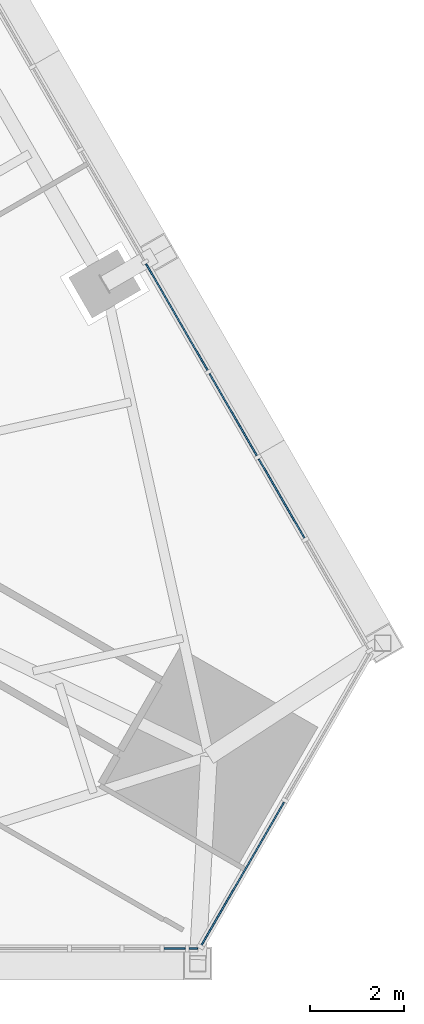
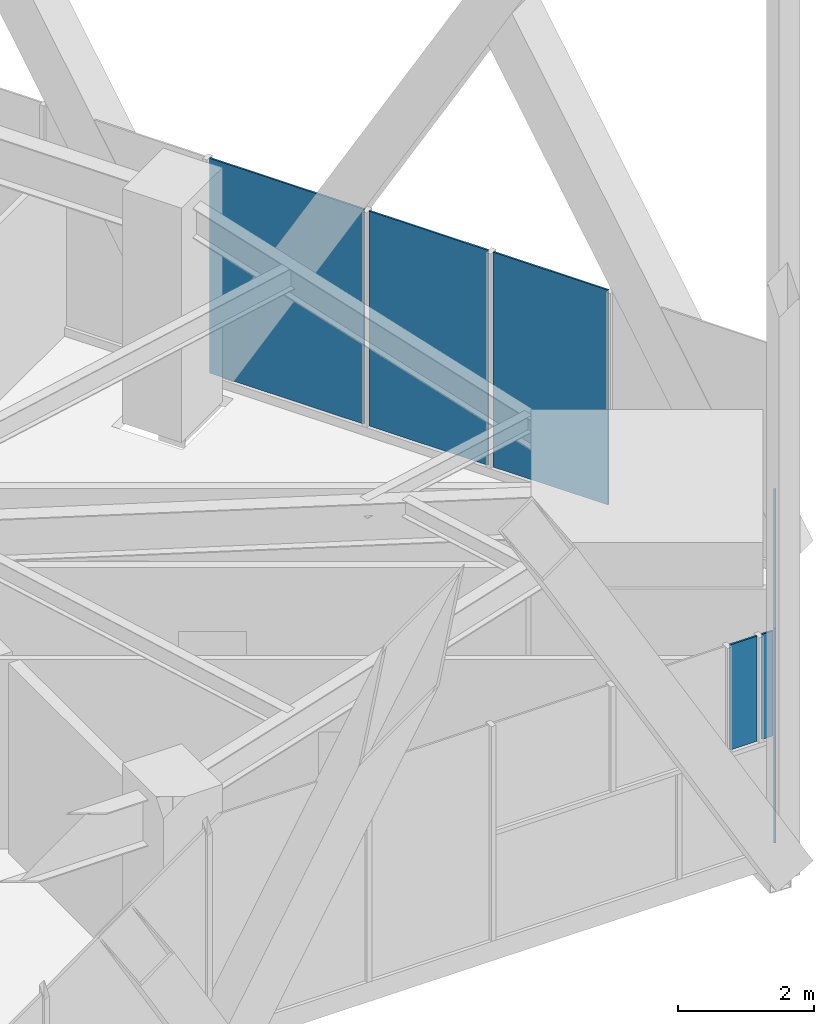
# One storey, part 15 of 26: 6 plates, 3 elements without a shape of their own.
"""IFC4 building model written with IfcOpenShell, lengths in metres."""

from ifc_helpers import new_model, si_unit, direction, frame, origin, place, context, subcontext, project, spatial, polyline, outline, extrude, material, layer, layer_set, type_object, element, aggregate, save


model = new_model("IFC4")

# Units and contexts
model_context = context("Model", 3, precision=1e-05, world=origin(), true_north=direction((0.0, 1.0)))
body_context = subcontext(model_context, "Body", "Model", "MODEL_VIEW")
ifc_project = project(units=[si_unit("LENGTHUNIT", "METRE"), si_unit("AREAUNIT", "SQUARE_METRE"), si_unit("VOLUMEUNIT", "CUBIC_METRE"), si_unit("PLANEANGLEUNIT", "RADIAN"), si_unit("MASSUNIT", "GRAM", prefix="KILO")], contexts=[model_context])

# Site, building, storey
site_placement = place(None, origin())
site = spatial("IfcSite", under=ifc_project, at=site_placement, CompositionType="ELEMENT")
building_placement = place(site_placement, origin())
building = spatial("IfcBuilding", under=site, at=building_placement, Name="Firuza Gate Tower and Library", CompositionType="ELEMENT")
storey_placement = place(building_placement, frame((0.0, 0.0, 40.0)))
storey = spatial("IfcBuildingStorey", under=building, at=storey_placement, Name="L08", CompositionType="ELEMENT", Elevation=40.0)

# Curtain wall, plate
ifc_material_1 = material(Name="Aluminium 6063-T6", Category="aluminium")
ifc_layer_1 = layer(ifc_material_1, 0.14990234375)
ifc_layer_set_1 = layer_set([ifc_layer_1], Name="Corner curtain wall, chamfers")
curtain_wall_type_1 = type_object("IfcCurtainWallType", Name="Corner curtain wall, chamfers", PredefinedType="NOTDEFINED", material=ifc_layer_set_1)
placement = place(storey_placement, origin())
curtain_wall_1 = element("IfcCurtainWall", 1, at=placement, inside=storey, type_object=curtain_wall_type_1, Name="CW4 L08 SE corner", PredefinedType="NOTDEFINED")
ifc_material_2 = material(Name="Fritted glass", Category="glass")
ifc_layer_2 = layer(ifc_material_2, 0.030029296875)
ifc_layer_set_2 = layer_set([ifc_layer_2], Name="Fritted glass unit, corners")
plate_type_1 = type_object("IfcPlateType", Name="Fritted glass unit, corners", PredefinedType="CURTAIN_PANEL", material=ifc_layer_set_2)
plate_1_placement = place(storey_placement, frame((103.876220703125, 54.16748046875, 0.14990234375), z_axis=(0.866016723041, -0.500015035186, 0.0), x_axis=(0.500015035186, 0.866016723041, 0.0)))
plate_1 = element("IfcPlate", 2, at=plate_1_placement, type_object=plate_type_1, Name="Glass unit", PredefinedType="CURTAIN_PANEL", context=body_context, shape_type="SweptSolid", body=[
    extrude(outline(polyline([(0.0, 0.0), (3.5633694106530625, 0.0), (3.5633694106530625, 3.85009765625), (0.0, 3.85009765625), (0.0, 0.0)])), origin(), (0.0, 0.0, -1.0), 0.030029296875),
])
aggregate(curtain_wall_1, [plate_1])

ifc_material_3 = material(Name="Aluminium 6063-T6", Category="aluminium")
ifc_layer_3 = layer(ifc_material_3, 0.14990234375)
ifc_layer_set_3 = layer_set([ifc_layer_3], Name="Unitised curtain wall, offices")
curtain_wall_type_2 = type_object("IfcCurtainWallType", Name="Unitised curtain wall, offices", PredefinedType="NOTDEFINED", material=ifc_layer_set_3)
curtain_wall_2 = element("IfcCurtainWall", 3, at=placement, inside=storey, type_object=curtain_wall_type_2, Name="CW1 L08 S face", PredefinedType="NOTDEFINED")
ifc_material_4 = material(Name="Fritted glass", Category="glass")
ifc_layer_4 = layer(ifc_material_4, 0.030029296875)
ifc_layer_set_4 = layer_set([ifc_layer_4], Name="Fritted glass unit, offices")
plate_type_2 = type_object("IfcPlateType", Name="Fritted glass unit, offices", PredefinedType="CURTAIN_PANEL", material=ifc_layer_set_4)
plate_2_placement = place(storey_placement, frame((103.07958984375, 54.12548828125, 2.114990234375), z_axis=(0.0, -1.0, 0.0), x_axis=(1.0, 0.0, 0.0)))
plate_2 = element("IfcPlate", 4, at=plate_2_placement, type_object=plate_type_2, Name="Glass unit", PredefinedType="CURTAIN_PANEL", context=body_context, shape_type="SweptSolid", body=[
    extrude(outline(polyline([(0.0, 0.0), (0.45751953125, 0.0), (0.45751953125, 1.885009765625), (0.0, 1.885009765625), (0.0, 0.0)])), origin(), (0.0, 0.0, -1.0), 0.030029296875),
])

# Curtain wall, plates
curtain_wall_3 = element("IfcCurtainWall", 5, at=placement, inside=storey, type_object=curtain_wall_type_2, Name="CW1 L08 E face", PredefinedType="NOTDEFINED")
plate_3_placement = place(storey_placement, frame((106.091064453125, 62.89794921875, 0.14990234375), z_axis=(0.866031321059, 0.49998975084, 0.0), x_axis=(-0.49998975084, 0.866031321059, 0.0)))
plate_3 = element("IfcPlate", 6, at=plate_3_placement, type_object=plate_type_2, Name="Glass unit", PredefinedType="CURTAIN_PANEL", context=body_context, shape_type="SweptSolid", body=[
    extrude(outline(polyline([(0.0, 0.0), (1.9502352890478898, 0.0), (1.9502352890478898, 3.85009765625), (0.0, 3.85009765625), (0.0, 0.0)])), origin(), (0.0, 0.0, -1.0), 0.030029296875),
])
plate_4_placement = place(storey_placement, frame((105.075927734375, 64.656005859375, 0.14990234375), z_axis=(0.866073013527, 0.499917528438, 0.0), x_axis=(-0.499917528438, 0.866073013527, 0.0)))
plate_4 = element("IfcPlate", 7, at=plate_4_placement, type_object=plate_type_2, Name="Glass unit", PredefinedType="CURTAIN_PANEL", context=body_context, shape_type="SweptSolid", body=[
    extrude(outline(polyline([(0.0, 0.0), (2.022306221754728, 0.0), (2.022306221754728, 3.8500976562499996), (0.0, 3.8500976562499996), (0.0, 0.0)])), origin(), (0.0, 0.0, -1.0), 0.030029296875),
])

# Plate
ifc_material_5 = material(Name="Glazed ceramic tile")
ifc_layer_5 = layer(ifc_material_5, 0.030029296875)
ifc_layer_set_5 = layer_set([ifc_layer_5], Name="Opaque ceramic panel, offices")
plate_type_3 = type_object("IfcPlateType", Name="Opaque ceramic panel, offices", PredefinedType="CURTAIN_PANEL", material=ifc_layer_set_5)
plate_5_placement = place(storey_placement, frame((103.6171875, 54.12548828125, 2.114990234375), z_axis=(0.0, -1.0, 0.0), x_axis=(1.0, 0.0, 0.0)))
plate_5 = element("IfcPlate", 8, at=plate_5_placement, type_object=plate_type_3, Name="Opaque ceramic panel", PredefinedType="CURTAIN_PANEL", context=body_context, shape_type="SweptSolid", body=[
    extrude(outline(polyline([(0.0, 0.0), (0.18603515625, 0.0), (0.18603515625, 1.885009765625), (0.0, 1.885009765625), (0.0, 0.0)])), origin(), (0.0, 0.0, -1.0), 0.030029296875),
])

aggregate(curtain_wall_2, [plate_2, plate_5])

plate_6_placement = place(storey_placement, frame((104.02490234375, 66.476806640625, 0.14990234375), z_axis=(0.866013657776, 0.500020344131, 0.0), x_axis=(-0.500020344131, 0.866013657776, 0.0)))
plate_6 = element("IfcPlate", 9, at=plate_6_placement, type_object=plate_type_3, Name="Opaque ceramic panel", PredefinedType="CURTAIN_PANEL", context=body_context, shape_type="SweptSolid", body=[
    extrude(outline(polyline([(0.0, 0.0), (2.6248931976571157, 0.0), (2.6248931976571157, 3.85009765625), (0.0, 3.85009765625), (0.0, 0.0)])), origin(), (0.0, 0.0, -1.0), 0.030029296875),
])

aggregate(curtain_wall_3, [plate_3, plate_4, plate_6])

save(model, "model.ifc")
